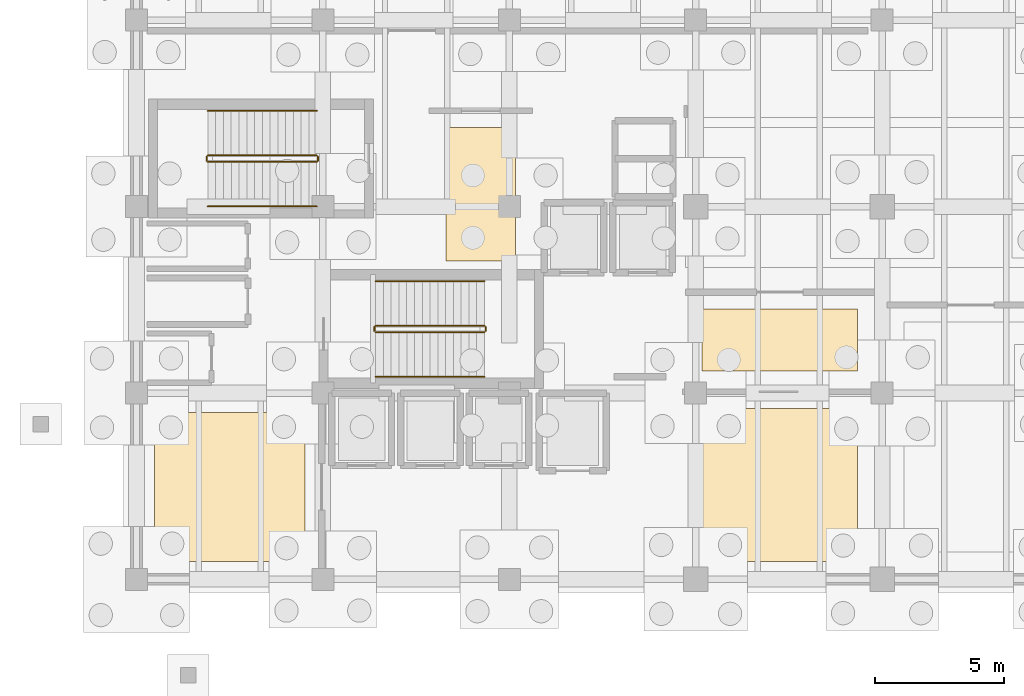
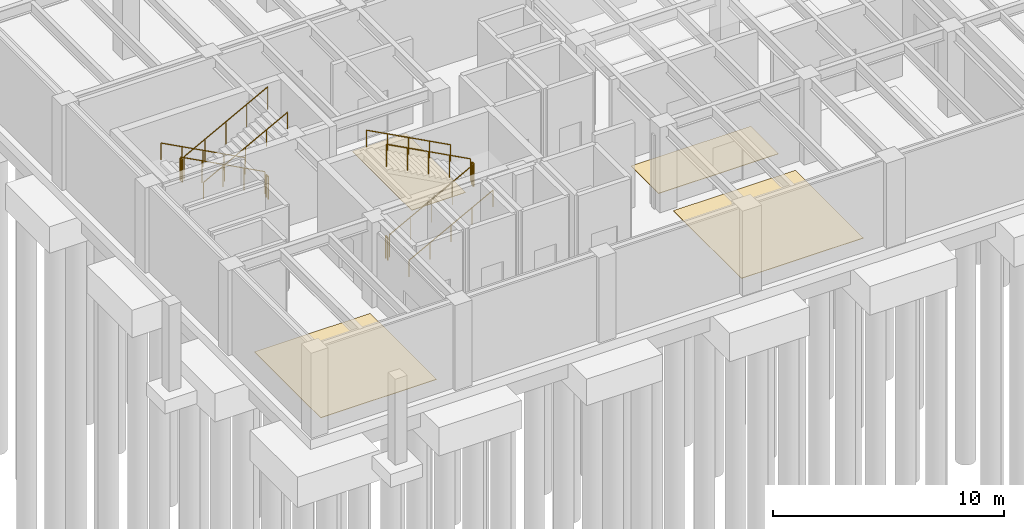
# One storey, part 18 of 26: 12 railings, 4 coverings.
"""IFC4 building model written with IfcOpenShell, lengths in metres."""

from ifc_helpers import new_model, si_unit, direction, frame, origin, origin_2d, place, context, subcontext, project, spatial, polyline, circle, outline, extrude, material, layer, layer_set, type_object, element, save


model = new_model("IFC4")

# Units and contexts
model_context = context("Model", 3, precision=1e-05, world=origin(), true_north=direction((0.0, 1.0)))
body_context = subcontext(model_context, "Body", "Model", "MODEL_VIEW")
ifc_project = project(units=[si_unit("LENGTHUNIT", "METRE"), si_unit("AREAUNIT", "SQUARE_METRE"), si_unit("VOLUMEUNIT", "CUBIC_METRE"), si_unit("PLANEANGLEUNIT", "RADIAN"), si_unit("MASSUNIT", "GRAM", prefix="KILO")], contexts=[model_context])

# Site, building, storey
site_placement = place(None, origin())
site = spatial("IfcSite", under=ifc_project, at=site_placement, CompositionType="ELEMENT")
building_placement = place(site_placement, origin())
building = spatial("IfcBuilding", under=site, at=building_placement, Name="Kandorven Conservatory and Botanical Research Centre", CompositionType="ELEMENT")
storey_placement = place(building_placement, frame((0.0, 0.0, -4.800048828125)))
storey = spatial("IfcBuildingStorey", under=building, at=storey_placement, Name="B01", CompositionType="ELEMENT", Elevation=-4.800048828125)

# Coverings
ifc_material_1 = material(Name="Honed Kota stone and epoxy laboratory flooring", Category="masonry")
ifc_layer = layer(ifc_material_1, 0.02490234375)
ifc_layer_set = layer_set([ifc_layer], Name="Honed Kota stone and epoxy laboratory flooring")
covering_type = type_object("IfcCoveringType", Name="Cov_Flooring_1", PredefinedType="FLOORING", material=ifc_layer_set)
covering_1_placement = place(storey_placement, origin())
element("IfcCovering", 1, at=covering_1_placement, inside=storey, type_object=covering_type, Name="Floor finish FLR-01 (Seed Bank Base Cold Vault (-18 C))", PredefinedType="FLOORING", context=body_context, shape_type="SweptSolid", body=[
    extrude(outline(polyline([(6.699951171875, 6.699951171875), (12.5, 6.699951171875), (12.5, 12.449951171875), (6.699951171875, 12.449951171875), (6.699951171875, 6.699951171875)])), origin(), (0.0, 0.0, 1.0), 0.025146484375),
])
covering_2_placement = place(storey_placement, origin())
element("IfcCovering", 2, at=covering_2_placement, inside=storey, type_object=covering_type, Name="Floor finish FLR-01 (Cryopreservation Liquid Nitrogen Vault)", PredefinedType="FLOORING", context=body_context, shape_type="SweptSolid", body=[
    extrude(outline(polyline([(27.75, 6.699951171875), (33.85009765625, 6.699951171875), (33.85009765625, 12.60009765625), (27.75, 12.60009765625), (27.75, 6.699951171875)])), origin(), (0.0, 0.0, 1.0), 0.025146484375),
])
covering_3_placement = place(storey_placement, origin())
element("IfcCovering", 3, at=covering_3_placement, inside=storey, type_object=covering_type, Name="Floor finish FLR-01 (Herbarium Freeze-Drying and Specimen Treatment Room)", PredefinedType="FLOORING", context=body_context, shape_type="SweptSolid", body=[
    extrude(outline(polyline([(17.949951171875, 18.300048828125), (20.64990234375, 18.300048828125), (20.64990234375, 23.449951171875), (17.949951171875, 23.449951171875), (17.949951171875, 18.300048828125)])), origin(), (0.0, 0.0, 1.0), 0.025146484375),
])
covering_4_placement = place(storey_placement, origin())
element("IfcCovering", 4, at=covering_4_placement, inside=storey, type_object=covering_type, Name="Floor finish FLR-01 (Botanical Specimen Pressing Room B01)", PredefinedType="FLOORING", context=body_context, shape_type="SweptSolid", body=[
    extrude(outline(polyline([(27.85009765625, 14.050048828125), (33.85009765625, 14.050048828125), (33.85009765625, 16.449951171875), (27.85009765625, 16.449951171875), (27.85009765625, 14.050048828125)])), origin(), (0.0, 0.0, 1.0), 0.025146484375),
])

# Railings
ifc_material_2 = material(Name="Steel S355 (IS 2062 E350)", Category="steel")
railing_type_1 = type_object("IfcRailingType", Name="StairGuard_1150", PredefinedType="BALUSTRADE", material=ifc_material_2)
railing_1_placement = place(storey_placement, frame((15.239990234375, 15.550048828125, 0.16015625)))
element("IfcRailing", 5, at=railing_1_placement, inside=storey, type_object=railing_type_1, Name="B01 ST-T1 stair guard 1", PredefinedType="BALUSTRADE", context=body_context, shape_type="SweptSolid", body=[
    extrude(circle(Radius=0.02392578125, at=origin_2d()), frame((0.0, 0.0, 1.17578125), z_axis=(0.882351521365, 0.0, 0.470590897432), x_axis=(0.0, 1.0, 0.0)), (0.0, 0.0, 1.0), 4.760009765625),
    extrude(circle(Radius=0.02099609375, at=origin_2d()), origin(), (0.0, 0.0, 1.0), 1.15185546875),
    extrude(circle(Radius=0.02099609375, at=origin_2d()), frame((1.050048828125, 0.0, 0.56005859375)), (0.0, 0.0, 1.0), 1.15185546875),
    extrude(circle(Radius=0.02099609375, at=origin_2d()), frame((2.10009765625, 0.0, 1.1201171875)), (0.0, 0.0, 1.0), 1.15185546875),
    extrude(circle(Radius=0.02099609375, at=origin_2d()), frame((3.14990234375, 0.0, 1.679931640625)), (0.0, 0.0, 1.0), 1.15185546875),
    extrude(circle(Radius=0.02099609375, at=origin_2d()), frame((4.199951171875, 0.0, 2.239990234375)), (0.0, 0.0, 1.0), 1.15185546875),
])
railing_2_placement = place(storey_placement, frame((19.489990234375, 15.60009765625, 2.400146484375)))
element("IfcRailing", 6, at=railing_2_placement, inside=storey, type_object=railing_type_1, Name="B01 ST-T1 stair guard 2", PredefinedType="BALUSTRADE", context=body_context, shape_type="SweptSolid", body=[
    extrude(circle(Radius=0.02392578125, at=origin_2d()), frame((0.0, 0.0, 1.17578125), z_axis=(0.0, 1.0, 0.0), x_axis=(-1.0, 0.0, 0.0)), (0.0, 0.0, 1.0), 0.14990234375),
    extrude(circle(Radius=0.02099609375, at=origin_2d()), origin(), (0.0, 0.0, 1.0), 1.15185546875),
    extrude(circle(Radius=0.02099609375, at=origin_2d()), frame((0.0, 0.14990234375, 0.0)), (0.0, 0.0, 1.0), 1.15185546875),
])
railing_3_placement = place(storey_placement, frame((19.43994140625, 15.800048828125, 2.56005859375)))
element("IfcRailing", 7, at=railing_3_placement, inside=storey, type_object=railing_type_1, Name="B01 ST-T1 stair guard 3", PredefinedType="BALUSTRADE", context=body_context, shape_type="SweptSolid", body=[
    extrude(circle(Radius=0.02392578125, at=origin_2d()), frame((0.0, 0.0, 1.17578125), z_axis=(-0.882351521365, 0.0, 0.470590897432), x_axis=(0.0, -1.0, 0.0)), (0.0, 0.0, 1.0), 4.760009765625),
    extrude(circle(Radius=0.02099609375, at=origin_2d()), origin(), (0.0, 0.0, 1.0), 1.15185546875),
    extrude(circle(Radius=0.02099609375, at=origin_2d()), frame((-1.050048828125, 0.0, 0.56005859375)), (0.0, 0.0, 1.0), 1.15185546875),
    extrude(circle(Radius=0.02099609375, at=origin_2d()), frame((-2.10009765625, 0.0, 1.1201171875)), (0.0, 0.0, 1.0), 1.15185546875),
    extrude(circle(Radius=0.02099609375, at=origin_2d()), frame((-3.14990234375, 0.0, 1.679931640625)), (0.0, 0.0, 1.0), 1.15185546875),
    extrude(circle(Radius=0.02099609375, at=origin_2d()), frame((-4.199951171875, 0.0, 2.239990234375)), (0.0, 0.0, 1.0), 1.15185546875),
])
railing_4_placement = place(storey_placement, frame((15.18994140625, 15.60009765625, 0.0)))
element("IfcRailing", 8, at=railing_4_placement, inside=storey, type_object=railing_type_1, Name="B01 ST-T1 stair guard 4", PredefinedType="BALUSTRADE", context=body_context, shape_type="SweptSolid", body=[
    extrude(circle(Radius=0.02392578125, at=origin_2d()), frame((0.0, 0.0, 1.17578125), z_axis=(0.0, 1.0, 0.0), x_axis=(-1.0, 0.0, 0.0)), (0.0, 0.0, 1.0), 0.14990234375),
    extrude(circle(Radius=0.02099609375, at=origin_2d()), origin(), (0.0, 0.0, 1.0), 1.15185546875),
    extrude(circle(Radius=0.02099609375, at=origin_2d()), frame((0.0, 0.14990234375, 0.0)), (0.0, 0.0, 1.0), 1.15185546875),
])
railing_5_placement = place(storey_placement, frame((12.9599609375, 22.3798828125, 0.16015625)))
element("IfcRailing", 9, at=railing_5_placement, inside=storey, type_object=railing_type_1, Name="B01 ST-T2 stair guard 1", PredefinedType="BALUSTRADE", context=body_context, shape_type="SweptSolid", body=[
    extrude(circle(Radius=0.02392578125, at=origin_2d()), frame((0.0, 0.0, 1.17578125), z_axis=(-0.882351521365, 0.0, 0.470590897432), x_axis=(0.0, -1.0, 0.0)), (0.0, 0.0, 1.0), 4.760009765625),
    extrude(circle(Radius=0.02099609375, at=origin_2d()), origin(), (0.0, 0.0, 1.0), 1.15185546875),
    extrude(circle(Radius=0.02099609375, at=origin_2d()), frame((-1.050048828125, 0.0, 0.56005859375)), (0.0, 0.0, 1.0), 1.15185546875),
    extrude(circle(Radius=0.02099609375, at=origin_2d()), frame((-2.10009765625, 0.0, 1.1201171875)), (0.0, 0.0, 1.0), 1.15185546875),
    extrude(circle(Radius=0.02099609375, at=origin_2d()), frame((-3.14990234375, 0.0, 1.679931640625)), (0.0, 0.0, 1.0), 1.15185546875),
    extrude(circle(Radius=0.02099609375, at=origin_2d()), frame((-4.199951171875, 0.0, 2.239990234375)), (0.0, 0.0, 1.0), 1.15185546875),
])
railing_6_placement = place(storey_placement, frame((8.7099609375, 22.330078125, 2.400146484375)))
element("IfcRailing", 10, at=railing_6_placement, inside=storey, type_object=railing_type_1, Name="B01 ST-T2 stair guard 2", PredefinedType="BALUSTRADE", context=body_context, shape_type="SweptSolid", body=[
    extrude(circle(Radius=0.02392578125, at=origin_2d()), frame((0.0, 0.0, 1.17578125), z_axis=(0.0, -1.0, 0.0), x_axis=(1.0, 0.0, 0.0)), (0.0, 0.0, 1.0), 0.150146484375),
    extrude(circle(Radius=0.02099609375, at=origin_2d()), origin(), (0.0, 0.0, 1.0), 1.15185546875),
    extrude(circle(Radius=0.02099609375, at=origin_2d()), frame((0.0, -0.150146484375, 0.0)), (0.0, 0.0, 1.0), 1.15185546875),
])
railing_7_placement = place(storey_placement, frame((8.760009765625, 22.1298828125, 2.56005859375)))
element("IfcRailing", 11, at=railing_7_placement, inside=storey, type_object=railing_type_1, Name="B01 ST-T2 stair guard 3", PredefinedType="BALUSTRADE", context=body_context, shape_type="SweptSolid", body=[
    extrude(circle(Radius=0.02392578125, at=origin_2d()), frame((0.0, 0.0, 1.17578125), z_axis=(0.882351521365, 0.0, 0.470590897432), x_axis=(0.0, 1.0, 0.0)), (0.0, 0.0, 1.0), 4.760009765625),
    extrude(circle(Radius=0.02099609375, at=origin_2d()), origin(), (0.0, 0.0, 1.0), 1.15185546875),
    extrude(circle(Radius=0.02099609375, at=origin_2d()), frame((1.050048828125, 0.0, 0.56005859375)), (0.0, 0.0, 1.0), 1.15185546875),
    extrude(circle(Radius=0.02099609375, at=origin_2d()), frame((2.10009765625, 0.0, 1.1201171875)), (0.0, 0.0, 1.0), 1.15185546875),
    extrude(circle(Radius=0.02099609375, at=origin_2d()), frame((3.14990234375, 0.0, 1.679931640625)), (0.0, 0.0, 1.0), 1.15185546875),
    extrude(circle(Radius=0.02099609375, at=origin_2d()), frame((4.199951171875, 0.0, 2.239990234375)), (0.0, 0.0, 1.0), 1.15185546875),
])
railing_8_placement = place(storey_placement, frame((13.010009765625, 22.330078125, 0.0)))
element("IfcRailing", 12, at=railing_8_placement, inside=storey, type_object=railing_type_1, Name="B01 ST-T2 stair guard 4", PredefinedType="BALUSTRADE", context=body_context, shape_type="SweptSolid", body=[
    extrude(circle(Radius=0.02392578125, at=origin_2d()), frame((0.0, 0.0, 1.17578125), z_axis=(0.0, -1.0, 0.0), x_axis=(1.0, 0.0, 0.0)), (0.0, 0.0, 1.0), 0.150146484375),
    extrude(circle(Radius=0.02099609375, at=origin_2d()), origin(), (0.0, 0.0, 1.0), 1.15185546875),
    extrude(circle(Radius=0.02099609375, at=origin_2d()), frame((0.0, -0.150146484375, 0.0)), (0.0, 0.0, 1.0), 1.15185546875),
])
ifc_material_3 = material(Name="Steel S355 (IS 2062 E350)", Category="steel")
railing_type_2 = type_object("IfcRailingType", Name="StairHandrail_900", PredefinedType="HANDRAIL", material=ifc_material_3)
railing_9_placement = place(storey_placement, frame((15.239990234375, 13.830078125, 0.16015625)))
element("IfcRailing", 13, at=railing_9_placement, inside=storey, type_object=railing_type_2, Name="B01 ST-T1 stair handrail 1", PredefinedType="HANDRAIL", context=body_context, shape_type="SweptSolid", body=[
    extrude(circle(Radius=0.02392578125, at=origin_2d()), frame((0.0, 0.0, 0.8759765625), z_axis=(0.882351521365, 0.0, 0.470590897432), x_axis=(0.0, 1.0, 0.0)), (0.0, 0.0, 1.0), 4.760009765625),
    extrude(circle(Radius=0.02099609375, at=origin_2d()), origin(), (0.0, 0.0, 1.0), 0.851806640625),
    extrude(circle(Radius=0.02099609375, at=origin_2d()), frame((1.050048828125, 0.0, 0.56005859375)), (0.0, 0.0, 1.0), 0.851806640625),
    extrude(circle(Radius=0.02099609375, at=origin_2d()), frame((2.10009765625, 0.0, 1.1201171875)), (0.0, 0.0, 1.0), 0.851806640625),
    extrude(circle(Radius=0.02099609375, at=origin_2d()), frame((3.14990234375, 0.0, 1.679931640625)), (0.0, 0.0, 1.0), 0.851806640625),
    extrude(circle(Radius=0.02099609375, at=origin_2d()), frame((4.199951171875, 0.0, 2.239990234375)), (0.0, 0.0, 1.0), 0.851806640625),
])
for number, where, name in (
    (14, (19.43994140625, 17.52001953125, 2.56005859375), "B01 ST-T1 stair handrail 2"),
    (15, (12.9599609375, 24.10009765625, 0.16015625), "B01 ST-T2 stair handrail 1"),
):
    element("IfcRailing", number, at=place(storey_placement, frame(where)), inside=storey, type_object=railing_type_2, Name=name, PredefinedType="HANDRAIL", context=body_context, shape_type="SweptSolid", body=[
        extrude(circle(Radius=0.02392578125, at=origin_2d()), frame((0.0, 0.0, 0.8759765625), z_axis=(-0.882351521365, 0.0, 0.470590897432), x_axis=(0.0, -1.0, 0.0)), (0.0, 0.0, 1.0), 4.760009765625),
        extrude(circle(Radius=0.02099609375, at=origin_2d()), origin(), (0.0, 0.0, 1.0), 0.851806640625),
        extrude(circle(Radius=0.02099609375, at=origin_2d()), frame((-1.050048828125, 0.0, 0.56005859375)), (0.0, 0.0, 1.0), 0.851806640625),
        extrude(circle(Radius=0.02099609375, at=origin_2d()), frame((-2.10009765625, 0.0, 1.1201171875)), (0.0, 0.0, 1.0), 0.851806640625),
        extrude(circle(Radius=0.02099609375, at=origin_2d()), frame((-3.14990234375, 0.0, 1.679931640625)), (0.0, 0.0, 1.0), 0.851806640625),
        extrude(circle(Radius=0.02099609375, at=origin_2d()), frame((-4.199951171875, 0.0, 2.239990234375)), (0.0, 0.0, 1.0), 0.851806640625),
    ])
railing_10_placement = place(storey_placement, frame((8.760009765625, 20.409912109375, 2.56005859375)))
element("IfcRailing", 16, at=railing_10_placement, inside=storey, type_object=railing_type_2, Name="B01 ST-T2 stair handrail 2", PredefinedType="HANDRAIL", context=body_context, shape_type="SweptSolid", body=[
    extrude(circle(Radius=0.02392578125, at=origin_2d()), frame((0.0, 0.0, 0.8759765625), z_axis=(0.882351521365, 0.0, 0.470590897432), x_axis=(0.0, 1.0, 0.0)), (0.0, 0.0, 1.0), 4.760009765625),
    extrude(circle(Radius=0.02099609375, at=origin_2d()), origin(), (0.0, 0.0, 1.0), 0.851806640625),
    extrude(circle(Radius=0.02099609375, at=origin_2d()), frame((1.050048828125, 0.0, 0.56005859375)), (0.0, 0.0, 1.0), 0.851806640625),
    extrude(circle(Radius=0.02099609375, at=origin_2d()), frame((2.10009765625, 0.0, 1.1201171875)), (0.0, 0.0, 1.0), 0.851806640625),
    extrude(circle(Radius=0.02099609375, at=origin_2d()), frame((3.14990234375, 0.0, 1.679931640625)), (0.0, 0.0, 1.0), 0.851806640625),
    extrude(circle(Radius=0.02099609375, at=origin_2d()), frame((4.199951171875, 0.0, 2.239990234375)), (0.0, 0.0, 1.0), 0.851806640625),
])

save(model, "model.ifc")
